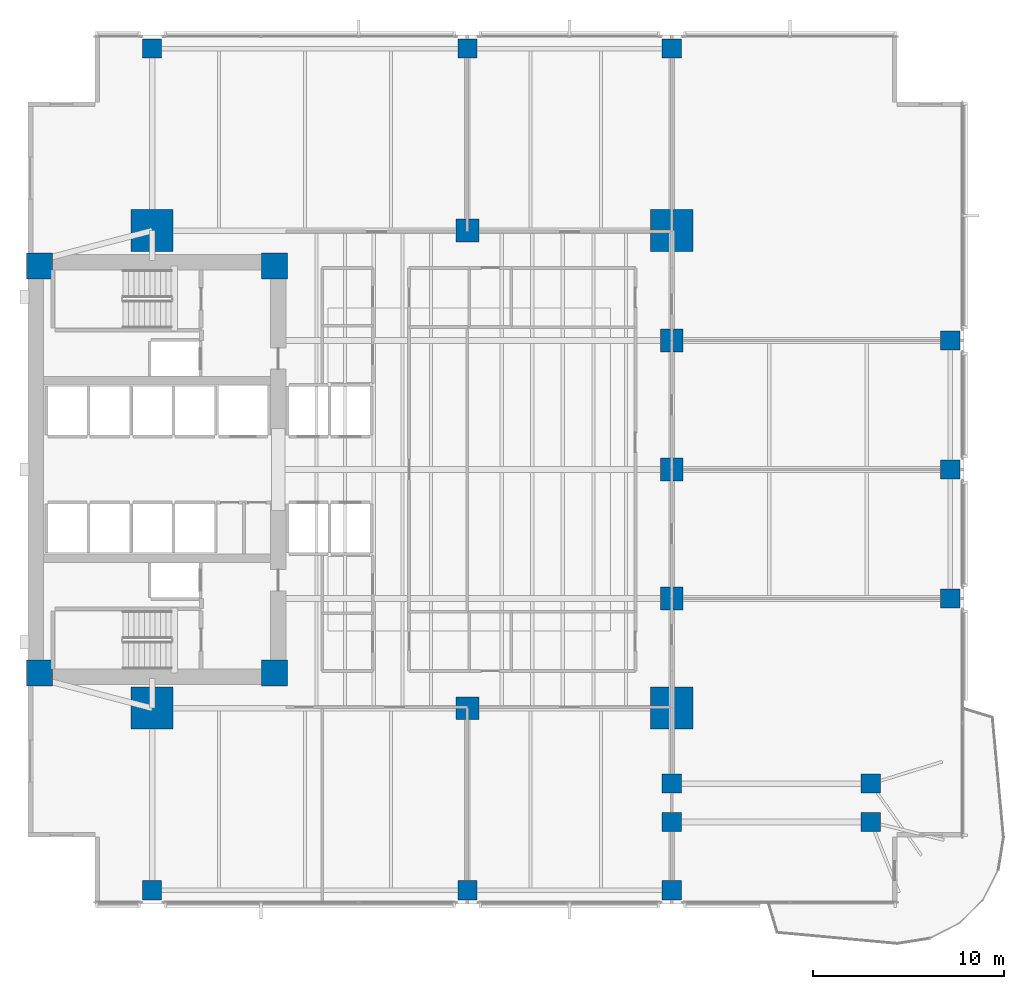
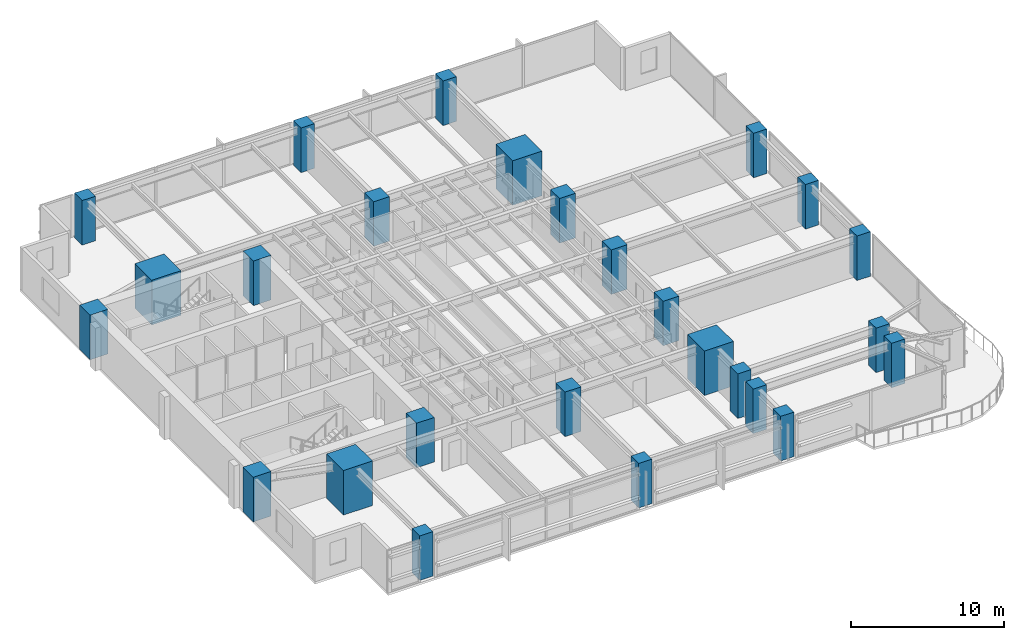
# One storey, part 1 of 15: 26 columns.
"""IFC4 building model written with IfcOpenShell, lengths in metres."""

from ifc_helpers import new_model, si_unit, direction, frame, origin, origin_2d, place, context, subcontext, project, spatial, rectangle, extrude, material, material_profile, profile_set, type_object, element, save


model = new_model("IFC4")

# Units and contexts
model_context = context("Model", 3, precision=1e-05, world=origin(), true_north=direction((0.0, 1.0)))
body_context = subcontext(model_context, "Body", "Model", "MODEL_VIEW")
ifc_project = project(units=[si_unit("LENGTHUNIT", "METRE"), si_unit("AREAUNIT", "SQUARE_METRE"), si_unit("VOLUMEUNIT", "CUBIC_METRE"), si_unit("PLANEANGLEUNIT", "RADIAN"), si_unit("MASSUNIT", "GRAM", prefix="KILO")], contexts=[model_context])

# Site, building, storey
site_placement = place(None, origin())
site = spatial("IfcSite", under=ifc_project, at=site_placement, CompositionType="ELEMENT")
building_placement = place(site_placement, origin())
building = spatial("IfcBuilding", under=site, at=building_placement, Name="Kinhvarn Gate Tower", CompositionType="ELEMENT")
storey_placement = place(building_placement, frame((0.0, 0.0, 29.14990234375)))
storey = spatial("IfcBuildingStorey", under=building, at=storey_placement, Name="L06", CompositionType="ELEMENT", Elevation=29.14990234375)

# Columns
ifc_material_1 = material(Name="Concrete C70/85", Category="concrete")
ifc_material_profile_1 = material_profile(ifc_material_1, rectangle(XDim=2.199951171875, YDim=2.199951171875, at=origin_2d()), Name="RC 2200x2200")
ifc_profile_set_1 = profile_set([ifc_material_profile_1], Name="Concrete C70/85")
column_type_1 = type_object("IfcColumnType", Name="COL-MC-2200", PredefinedType="COLUMN", material=ifc_profile_set_1)
for number, where, z_axis, x_axis, name in (
    (1, (11.0, 12.75, 0.0), (0.0, 0.0, 1.0), (1.0, 0.0, 0.0), "Column MC1-L06 (MC-22)"),
    (2, (11.0, 37.75, 0.0), (0.0, 0.0, 1.0), (1.0, 0.0, 0.0), "Column MC4-L06 (MC-22)"),
    (3, (38.199951171875, 12.75, 0.0), (0.0, 0.0, 1.0), (1.0, 0.0, 0.0), "Column MC2-L06 (MC-22)"),
    (4, (38.199951171875, 37.75, 0.0), (0.0, 0.0, 1.0), (1.0, 0.0, 0.0), "Column MC3-L06 (MC-22)"),
):
    element("IfcColumn", number, at=place(storey_placement, frame(where, z_axis=z_axis, x_axis=x_axis)), inside=storey, type_object=column_type_1, Name=name, PredefinedType="COLUMN", context=body_context, shape_type="SweptSolid", body=[
        extrude(rectangle(XDim=2.199951171875, YDim=2.199951171875, at=origin_2d()), origin(), (0.0, 0.0, 1.0), 3.550048828125),
    ])
ifc_material_2 = material(Name="Concrete C60/75", Category="concrete")
ifc_material_profile_2 = material_profile(ifc_material_2, rectangle(XDim=1.0, YDim=1.0, at=origin_2d()), Name="RC 1000x1000")
ifc_profile_set_2 = profile_set([ifc_material_profile_2], Name="Concrete C60/75")
column_type_2 = type_object("IfcColumnType", Name="COL-RC-1000", PredefinedType="COLUMN", material=ifc_profile_set_2)
for number, where, z_axis, x_axis, name in (
    (5, (48.6201171875, 6.800048828125, 0.0), (0.0, 0.0, 1.0), (1.0, 0.0, 0.0), "Column CS-SE1-L06 (C-100)"),
    (6, (38.199951171875, 6.800048828125, 0.0), (0.0, 0.0, 1.0), (1.0, 0.0, 0.0), "Column CS-ANC68-L06 (C-100)"),
    (7, (38.199951171875, 8.800048828125, 0.0), (0.0, 0.0, 1.0), (1.0, 0.0, 0.0), "Column CS-ANC88-L06 (C-100)"),
    (8, (48.6201171875, 8.800048828125, 0.0), (0.0, 0.0, 1.0), (1.0, 0.0, 0.0), "Column CS-SE1B-L06 (C-100)"),
    (9, (52.780029296875, 18.5, 0.0), (0.0, 0.0, 1.0), (1.0, 0.0, 0.0), "Column CE-1-L06 (C-100)"),
    (10, (52.780029296875, 25.25, 0.0), (0.0, 0.0, 1.0), (1.0, 0.0, 0.0), "Column CE-2-L06 (C-100)"),
    (11, (52.780029296875, 32.0, 0.0), (0.0, 0.0, 1.0), (1.0, 0.0, 0.0), "Column CE-3-L06 (C-100)"),
    (12, (11.0, 3.219970703125, 0.0), (0.0, 0.0, 1.0), (1.0, 0.0, 0.0), "Column CS-0-L06 (C-100)"),
    (13, (27.5, 3.219970703125, 0.0), (0.0, 0.0, 1.0), (1.0, 0.0, 0.0), "Column CS-1-L06 (C-100)"),
    (14, (38.199951171875, 3.219970703125, 0.0), (0.0, 0.0, 1.0), (1.0, 0.0, 0.0), "Column CS-2-L06 (C-100)"),
    (15, (11.0, 47.280029296875, 0.0), (0.0, 0.0, 1.0), (1.0, 0.0, 0.0), "Column CN-0-L06 (C-100)"),
    (16, (27.5, 47.280029296875, 0.0), (0.0, 0.0, 1.0), (1.0, 0.0, 0.0), "Column CN-1-L06 (C-100)"),
    (17, (38.199951171875, 47.280029296875, 0.0), (0.0, 0.0, 1.0), (1.0, 0.0, 0.0), "Column CN-2-L06 (C-100)"),
):
    element("IfcColumn", number, at=place(storey_placement, frame(where, z_axis=z_axis, x_axis=x_axis)), inside=storey, type_object=column_type_2, Name=name, PredefinedType="COLUMN", context=body_context, shape_type="SweptSolid", body=[
        extrude(rectangle(XDim=1.0, YDim=1.0, at=origin_2d()), origin(), (0.0, 0.0, 1.0), 3.550048828125),
    ])
ifc_material_profile_3 = material_profile(ifc_material_2, rectangle(XDim=1.199951171875, YDim=1.199951171875, at=origin_2d()), Name="RC 1200x1200")
ifc_profile_set_3 = profile_set([ifc_material_profile_3], Name="Concrete C60/75")
column_type_3 = type_object("IfcColumnType", Name="COL-RC-1200", PredefinedType="COLUMN", material=ifc_profile_set_3)
for number, where, z_axis, x_axis, name in (
    (18, (27.5, 12.75, 0.0), (0.0, 0.0, 1.0), (1.0, 0.0, 0.0), "Column SP27-S-L06 (C-120)"),
    (19, (27.5, 37.75, 0.0), (0.0, 0.0, 1.0), (1.0, 0.0, 0.0), "Column SP27-N-L06 (C-120)"),
    (20, (38.199951171875, 18.5, 0.0), (0.0, 0.0, 1.0), (1.0, 0.0, 0.0), "Column SP38-E1-L06 (C-120)"),
    (21, (38.199951171875, 25.25, 0.0), (0.0, 0.0, 1.0), (1.0, 0.0, 0.0), "Column SP38-E2-L06 (C-120)"),
    (22, (38.199951171875, 32.0, 0.0), (0.0, 0.0, 1.0), (1.0, 0.0, 0.0), "Column SP38-E3-L06 (C-120)"),
):
    element("IfcColumn", number, at=place(storey_placement, frame(where, z_axis=z_axis, x_axis=x_axis)), inside=storey, type_object=column_type_3, Name=name, PredefinedType="COLUMN", context=body_context, shape_type="SweptSolid", body=[
        extrude(rectangle(XDim=1.199951171875, YDim=1.199951171875, at=origin_2d()), origin(), (0.0, 0.0, 1.0), 3.550048828125),
    ])
ifc_material_profile_4 = material_profile(ifc_material_1, rectangle(XDim=1.35009765625, YDim=1.35009765625, at=origin_2d()), Name="RC 1350x1350")
ifc_profile_set_4 = profile_set([ifc_material_profile_4], Name="Concrete C70/85")
column_type_4 = type_object("IfcColumnType", Name="PIL-RC-1350", PredefinedType="PILASTER", material=ifc_profile_set_4)
for number, where, z_axis, x_axis, name in (
    (23, (5.10009765625, 14.60009765625, 0.0), (0.0, 0.0, 1.0), (1.0, 0.0, 0.0), "Column CC-SW-L06 (CP-135)"),
    (24, (5.10009765625, 35.89990234375, 0.0), (0.0, 0.0, 1.0), (1.0, 0.0, 0.0), "Column CC-NW-L06 (CP-135)"),
    (25, (17.39990234375, 14.60009765625, 0.0), (0.0, 0.0, 1.0), (1.0, 0.0, 0.0), "Column CC-SE-L06 (CP-135)"),
    (26, (17.39990234375, 35.89990234375, 0.0), (0.0, 0.0, 1.0), (1.0, 0.0, 0.0), "Column CC-NE-L06 (CP-135)"),
):
    element("IfcColumn", number, at=place(storey_placement, frame(where, z_axis=z_axis, x_axis=x_axis)), inside=storey, type_object=column_type_4, Name=name, PredefinedType="PILASTER", context=body_context, shape_type="SweptSolid", body=[
        extrude(rectangle(XDim=1.35009765625, YDim=1.35009765625, at=origin_2d()), origin(), (0.0, 0.0, 1.0), 3.550048828125),
    ])

save(model, "model.ifc")
